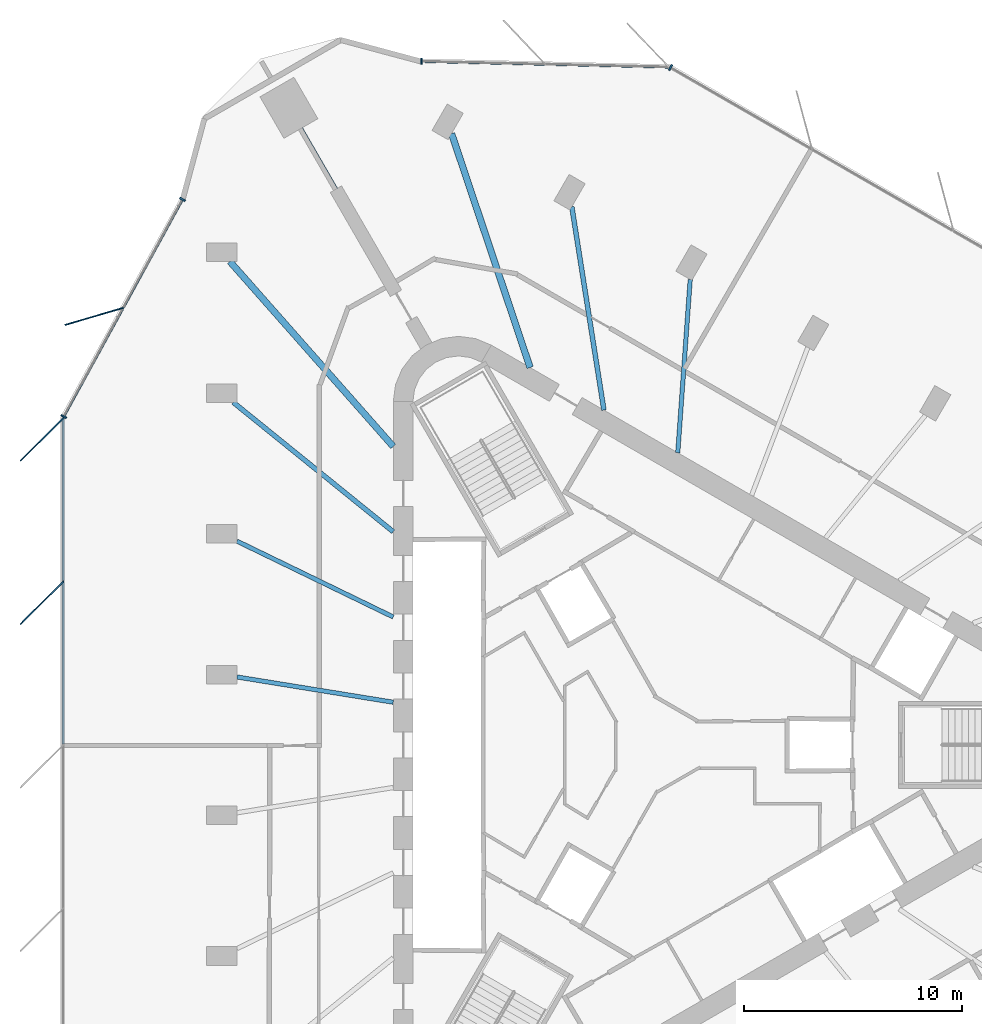
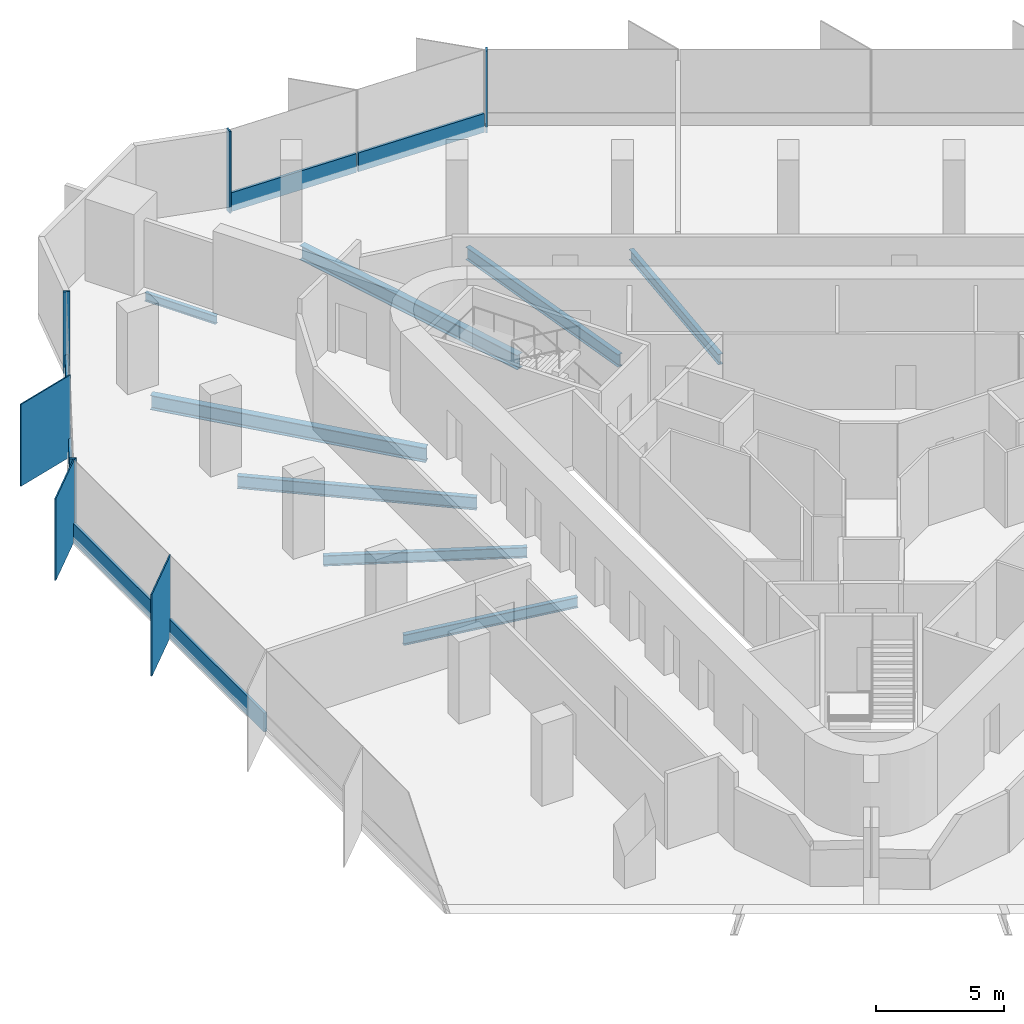
# One storey, part 4 of 12: 13 members, 8 beams, 4 elements without a shape of their own.
"""IFC4 building model written with IfcOpenShell, lengths in metres."""

from ifc_helpers import new_model, si_unit, direction, frame, origin, origin_2d, place, context, subcontext, project, spatial, rectangle, i_section, extrude, material, material_profile, profile_set, type_object, element, aggregate, save


model = new_model("IFC4")

# Units and contexts
model_context = context("Model", 3, precision=1e-05, world=origin(), true_north=direction((0.0, 1.0)))
body_context = subcontext(model_context, "Body", "Model", "MODEL_VIEW")
ifc_project = project(units=[si_unit("LENGTHUNIT", "METRE"), si_unit("AREAUNIT", "SQUARE_METRE"), si_unit("VOLUMEUNIT", "CUBIC_METRE"), si_unit("PLANEANGLEUNIT", "RADIAN"), si_unit("MASSUNIT", "GRAM", prefix="KILO")], contexts=[model_context])

# Site, building, storey
site_placement = place(None, origin())
site = spatial("IfcSite", under=ifc_project, at=site_placement, CompositionType="ELEMENT")
building_placement = place(site_placement, origin())
building = spatial("IfcBuilding", under=site, at=building_placement, Name="Tanit Gate Tower", CompositionType="ELEMENT")
storey_placement = place(building_placement, frame((0.0, 0.0, 341.60009765625)))
storey = spatial("IfcBuildingStorey", under=building, at=storey_placement, Name="L77", CompositionType="ELEMENT", Elevation=341.60009765625)

# Curtain wall, member
ifc_material_1 = material(Name="Aluminium bronze anodised and glass", Category="aluminium")
curtain_wall_type = type_object("IfcCurtainWallType", Name="Curtain wall typical high", PredefinedType="NOTDEFINED", material=ifc_material_1)
curtain_wall_1_placement = place(storey_placement, origin())
curtain_wall_1 = element("IfcCurtainWall", 1, at=curtain_wall_1_placement, inside=storey, type_object=curtain_wall_type, Name="Curtain wall L77 W1", PredefinedType="NOTDEFINED")
ifc_material_2 = material(Name="Aluminium bronze anodised", Category="aluminium")
ifc_material_profile_1 = material_profile(ifc_material_2, rectangle(XDim=2.800048828125, YDim=0.055908203125, at=origin_2d()), Name="56x2800 bronze fin mullion")
ifc_profile_set_1 = profile_set([ifc_material_profile_1], Name="Aluminium bronze anodised")
member_type_1 = type_object("IfcMemberType", Name="FIN MULLION 56x2800 bronze", PredefinedType="MULLION", material=ifc_profile_set_1)
member_1_placement = place(storey_placement, frame((-25.835693359375, 19.67919921875, -0.300048828125), z_axis=(0.0, 0.0, 1.0), x_axis=(0.959706253462, 0.281005172666, 0.0)))
member_1 = element("IfcMember", 2, at=member_1_placement, type_object=member_type_1, Name="Fin mullion L77 W1.2", PredefinedType="MULLION", context=body_context, shape_type="SweptSolid", body=[
    extrude(rectangle(XDim=2.800048828125, YDim=0.055908203125, at=origin_2d()), origin(), (0.0, 0.0, 1.0), 3.89990234375),
])

# Curtain wall, members
curtain_wall_2_placement = place(storey_placement, origin())
curtain_wall_2 = element("IfcCurtainWall", 3, at=curtain_wall_2_placement, inside=storey, type_object=curtain_wall_type, Name="Curtain wall L77 W2", PredefinedType="NOTDEFINED")
member_2_placement = place(storey_placement, frame((-28.232666015625, 14.0322265625, -0.300048828125), z_axis=(0.0, 0.0, 1.0), x_axis=(0.707155809403, 0.707057749571, 0.0)))
member_2 = element("IfcMember", 4, at=member_2_placement, type_object=member_type_1, Name="Fin mullion L77 W2.1", PredefinedType="MULLION", context=body_context, shape_type="SweptSolid", body=[
    extrude(rectangle(XDim=2.800048828125, YDim=0.055908203125, at=origin_2d()), origin(), (0.0, 0.0, 1.0), 3.89990234375),
])
member_3_placement = place(storey_placement, frame((-28.233154296875, 6.528076171875, -0.300048828125), z_axis=(0.0, 0.0, 1.0), x_axis=(0.707155809403, 0.707057749571, 0.0)))
member_3 = element("IfcMember", 5, at=member_3_placement, type_object=member_type_1, Name="Fin mullion L77 W2.2", PredefinedType="MULLION", context=body_context, shape_type="SweptSolid", body=[
    extrude(rectangle(XDim=2.800048828125, YDim=0.055908203125, at=origin_2d()), origin(), (0.0, 0.0, 1.0), 3.89990234375),
])

# Curtain wall, member
curtain_wall_3_placement = place(storey_placement, origin())
curtain_wall_3 = element("IfcCurtainWall", 6, at=curtain_wall_3_placement, inside=storey, type_object=curtain_wall_type, Name="Curtain wall L77 NE2", PredefinedType="NOTDEFINED")
ifc_material_3 = material(Name="Aluminium bronze anodised", Category="aluminium")
ifc_material_profile_2 = material_profile(ifc_material_3, rectangle(XDim=0.280029296875, YDim=0.080078125, at=origin_2d()), Name="80x280 bronze mullion")
ifc_profile_set_2 = profile_set([ifc_material_profile_2], Name="Aluminium bronze anodised")
member_type_2 = type_object("IfcMemberType", Name="Mullion 80x280 typical high", PredefinedType="MULLION", material=ifc_profile_set_2)
member_4_placement = place(storey_placement, frame((0.632080078125, 31.11083984375, -0.300048828125), z_axis=(0.0, 0.0, 1.0), x_axis=(-0.500060047936, -0.865990732317, 0.0)))
member_4 = element("IfcMember", 7, at=member_4_placement, type_object=member_type_2, Name="Mullion L77 NE2.5", PredefinedType="MULLION", context=body_context, shape_type="SweptSolid", body=[
    extrude(rectangle(XDim=0.280029296875, YDim=0.080078125, at=origin_2d()), origin(), (0.0, 0.0, 1.0), 3.89990234375),
])
aggregate(curtain_wall_3, [member_4])

curtain_wall_4_placement = place(storey_placement, origin())
curtain_wall_4 = element("IfcCurtainWall", 8, at=curtain_wall_4_placement, inside=storey, type_object=curtain_wall_type, Name="Curtain wall L77 NE3", PredefinedType="NOTDEFINED")
member_5_placement = place(storey_placement, frame((-10.802490234375, 31.3916015625, -0.300048828125), z_axis=(0.0, 0.0, 1.0), x_axis=(-0.022879847229, -0.999738222032, 0.0)))
member_5 = element("IfcMember", 9, at=member_5_placement, type_object=member_type_2, Name="Mullion L77 NE3.3", PredefinedType="MULLION", context=body_context, shape_type="SweptSolid", body=[
    extrude(rectangle(XDim=0.280029296875, YDim=0.080078125, at=origin_2d()), origin(), (0.0, 0.0, 1.0), 3.89990234375),
])

# Member
member_6_placement = place(storey_placement, frame((-21.78466796875, 25.051025390625, -0.300048828125), z_axis=(0.0, 0.0, 1.0), x_axis=(0.877315462911, -0.47991413663, 0.0)))
member_6 = element("IfcMember", 10, at=member_6_placement, type_object=member_type_2, Name="Mullion L77 W1.1", PredefinedType="MULLION", context=body_context, shape_type="SweptSolid", body=[
    extrude(rectangle(XDim=0.280029296875, YDim=0.080078125, at=origin_2d()), origin(), (0.0, 0.0, 1.0), 3.89990234375),
])

member_7_placement = place(storey_placement, frame((-27.237548828125, 15.0830078125, -0.300048828125), z_axis=(0.0, 0.0, 1.0), x_axis=(0.877315462911, -0.47991413663, 0.0)))
member_7 = element("IfcMember", 11, at=member_7_placement, type_object=member_type_2, Name="Mullion L77 W1.3", PredefinedType="MULLION", context=body_context, shape_type="SweptSolid", body=[
    extrude(rectangle(XDim=0.280029296875, YDim=0.080078125, at=origin_2d()), origin(), (0.0, 0.0, 1.0), 3.89990234375),
])

# Beams
ifc_material_4 = material(Name="Steel S355", Category="steel")
ifc_material_profile_3 = material_profile(ifc_material_4, i_section(OverallWidth=0.300048828125, OverallDepth=0.68994140625, WebThickness=0.014404296875, FlangeThickness=0.027099609375, FilletRadius=0.027099609375, at=origin_2d()), Name="HEA 700")
ifc_profile_set_3 = profile_set([ifc_material_profile_3], Name="Steel S355")
beam_type_1 = type_object("IfcBeamType", Name="RADIAL GIRDER HEA 700 S355", PredefinedType="BEAM", material=ifc_profile_set_3)
for number, where, z_axis, x_axis, name in (
    (12, (-9.42333984375, 28.075439453125, -0.64501953125), (0.318204952312, -0.948021945065, 0.0), (0.948021945065, 0.318204952312, 0.0), "RADIAL GIRDER"),
    (13, (-19.602294921875, 22.198486328125, -0.64501953125), (0.661911618894, -0.749581889304, 0.0), (0.749581889304, 0.661911618894, 0.0), "RADIAL GIRDER"),
):
    element("IfcBeam", number, at=place(storey_placement, frame(where, z_axis=z_axis, x_axis=x_axis)), inside=storey, type_object=beam_type_1, Name=name, PredefinedType="BEAM", context=body_context, shape_type="SweptSolid", body=[
        extrude(i_section(OverallWidth=0.300048828125, OverallDepth=0.68994140625, WebThickness=0.014404296875, FlangeThickness=0.027099609375, FilletRadius=0.027099609375, at=origin_2d()), origin(), (0.0, 0.0, 1.0), 11.331298828125),
    ])
ifc_material_5 = material(Name="Steel S355", Category="steel")
ifc_material_profile_4 = material_profile(ifc_material_5, i_section(OverallWidth=0.179931640625, OverallDepth=0.39990234375, WebThickness=0.008544921875, FlangeThickness=0.013427734375, FilletRadius=0.02099609375, at=origin_2d()), Name="IPE 400")
ifc_profile_set_4 = profile_set([ifc_material_profile_4], Name="Steel S355")
beam_type_2 = type_object("IfcBeamType", Name="RADIAL GIRDER IPE 400 S355", PredefinedType="BEAM", material=ifc_profile_set_4)
beam_1_placement = place(storey_placement, frame((-16.343505859375, 28.30810546875, -0.5), z_axis=(0.499967746641, -0.866044024469, 0.0), x_axis=(0.866044024469, 0.499967746641, 0.0)))
element("IfcBeam", 14, at=beam_1_placement, inside=storey, type_object=beam_type_2, Name="RADIAL GIRDER", PredefinedType="BEAM", context=body_context, shape_type="SweptSolid", body=[
    extrude(i_section(OverallWidth=0.179931640625, OverallDepth=0.39990234375, WebThickness=0.008544921875, FlangeThickness=0.013427734375, FilletRadius=0.02099609375, at=origin_2d()), origin(), (0.0, 0.0, 1.0), 3.216552734375),
])
ifc_material_6 = material(Name="Steel S355", Category="steel")
ifc_material_profile_5 = material_profile(ifc_material_6, i_section(OverallWidth=0.199951171875, OverallDepth=0.5, WebThickness=0.01025390625, FlangeThickness=0.01611328125, FilletRadius=0.02099609375, at=origin_2d()), Name="IPE 500")
ifc_profile_set_5 = profile_set([ifc_material_profile_5], Name="Steel S355")
beam_type_3 = type_object("IfcBeamType", Name="RADIAL GIRDER IPE 500 S355", PredefinedType="BEAM", material=ifc_profile_set_5)
for number, where, z_axis, x_axis, name in (
    (15, (1.5361328125, 21.373046875, -0.550048828125), (-0.071686446401, -0.997427217095, 0.0), (0.997427217095, -0.071686446401, 0.0), "RADIAL GIRDER"),
    (16, (-19.277587890625, 9.356201171875, -0.550048828125), (0.899635975272, -0.43664071271, 0.0), (0.43664071271, 0.899635975272, 0.0), "RADIAL GIRDER"),
):
    element("IfcBeam", number, at=place(storey_placement, frame(where, z_axis=z_axis, x_axis=x_axis)), inside=storey, type_object=beam_type_3, Name=name, PredefinedType="BEAM", context=body_context, shape_type="SweptSolid", body=[
        extrude(i_section(OverallWidth=0.199951171875, OverallDepth=0.5, WebThickness=0.01025390625, FlangeThickness=0.01611328125, FilletRadius=0.02099609375, at=origin_2d()), origin(), (0.0, 0.0, 1.0), 7.97607421875),
    ])
beam_2_placement = place(storey_placement, frame((-19.277587890625, 3.11865234375, -0.550048828125), z_axis=(0.987164361899, -0.159707615965, 0.0), x_axis=(0.159707615965, 0.987164361899, 0.0)))
element("IfcBeam", 17, at=beam_2_placement, inside=storey, type_object=beam_type_3, Name="RADIAL GIRDER", PredefinedType="BEAM", context=body_context, shape_type="SweptSolid", body=[
    extrude(i_section(OverallWidth=0.199951171875, OverallDepth=0.5, WebThickness=0.01025390625, FlangeThickness=0.01611328125, FilletRadius=0.02099609375, at=origin_2d()), origin(), (0.0, 0.0, 1.0), 7.268798828125),
])
ifc_material_7 = material(Name="Steel S355", Category="steel")
ifc_material_profile_6 = material_profile(ifc_material_7, i_section(OverallWidth=0.219970703125, OverallDepth=0.60009765625, WebThickness=0.011962890625, FlangeThickness=0.01904296875, FilletRadius=0.02392578125, at=origin_2d()), Name="IPE 600")
ifc_profile_set_6 = profile_set([ifc_material_profile_6], Name="Steel S355")
beam_type_4 = type_object("IfcBeamType", Name="RADIAL GIRDER IPE 600 S355", PredefinedType="BEAM", material=ifc_profile_set_6)
for number, where, z_axis, x_axis, name in (
    (18, (-3.900390625, 24.713623046875, -0.60009765625), (0.155875049661, -0.987776780904, 0.0), (0.987776780904, 0.155875049661, 0.0), "RADIAL GIRDER"),
    (19, (-19.452392578125, 15.734619140625, -0.60009765625), (0.777488974624, -0.628896568872, 0.0), (0.628896568872, 0.777488974624, 0.0), "RADIAL GIRDER"),
):
    element("IfcBeam", number, at=place(storey_placement, frame(where, z_axis=z_axis, x_axis=x_axis)), inside=storey, type_object=beam_type_4, Name=name, PredefinedType="BEAM", context=body_context, shape_type="SweptSolid", body=[
        extrude(i_section(OverallWidth=0.219970703125, OverallDepth=0.60009765625, WebThickness=0.011962890625, FlangeThickness=0.01904296875, FilletRadius=0.02392578125, at=origin_2d()), origin(), (0.0, 0.0, 1.0), 9.453857421875),
    ])

# Member
ifc_material_8 = material(Name="Aluminium bronze anodised", Category="aluminium")
ifc_material_profile_7 = material_profile(ifc_material_8, rectangle(XDim=0.1201171875, YDim=0.89990234375, at=origin_2d()), Name="120x900 bronze transom")
ifc_profile_set_7 = profile_set([ifc_material_profile_7], Name="Aluminium bronze anodised")
member_type_3 = type_object("IfcMemberType", Name="Transom 120x900 typical high", PredefinedType="USERDEFINED", material=ifc_profile_set_7)
member_8_placement = place(storey_placement, frame((0.517333984375, 31.132568359375, 0.14990234375), z_axis=(-0.999738154702, 0.022882788997, 0.0), x_axis=(-0.022882788997, -0.999738154702, 0.0)))
member_8 = element("IfcMember", 20, at=member_8_placement, type_object=member_type_3, Name="Transom L77 NE3.1", ObjectType="TRANSOM", PredefinedType="USERDEFINED", context=body_context, shape_type="SweptSolid", body=[
    extrude(rectangle(XDim=0.1201171875, YDim=0.89990234375, at=origin_2d()), origin(), (0.0, 0.0, 1.0), 5.601318359375),
])

member_9_placement = place(storey_placement, frame((-5.16259765625, 31.2626953125, 0.14990234375), z_axis=(-0.999738154702, 0.022882788997, 0.0), x_axis=(-0.022882788997, -0.999738154702, 0.0)))
member_9 = element("IfcMember", 21, at=member_9_placement, type_object=member_type_3, Name="Transom L77 NE3.2", ObjectType="TRANSOM", PredefinedType="USERDEFINED", context=body_context, shape_type="SweptSolid", body=[
    extrude(rectangle(XDim=0.1201171875, YDim=0.89990234375, at=origin_2d()), origin(), (0.0, 0.0, 1.0), 5.601318359375),
])

aggregate(curtain_wall_4, [member_5, member_8, member_9])

member_10_placement = place(storey_placement, frame((-21.803955078125, 25.01611328125, 0.14990234375), z_axis=(-0.47989622135, -0.877325262792, 0.0), x_axis=(0.877325262792, -0.47989622135, 0.0)))
member_10 = element("IfcMember", 22, at=member_10_placement, type_object=member_type_3, Name="Transom L77 W1.1", ObjectType="TRANSOM", PredefinedType="USERDEFINED", context=body_context, shape_type="SweptSolid", body=[
    extrude(rectangle(XDim=0.1201171875, YDim=0.89990234375, at=origin_2d()), origin(), (0.0, 0.0, 1.0), 5.60107421875),
])

member_11_placement = place(storey_placement, frame((-24.5302734375, 20.031982421875, 0.14990234375), z_axis=(-0.479914573296, -0.877315224044, 0.0), x_axis=(0.877315224044, -0.479914573296, 0.0)))
member_11 = element("IfcMember", 23, at=member_11_placement, type_object=member_type_3, Name="Transom L77 W1.2", ObjectType="TRANSOM", PredefinedType="USERDEFINED", context=body_context, shape_type="SweptSolid", body=[
    extrude(rectangle(XDim=0.1201171875, YDim=0.89990234375, at=origin_2d()), origin(), (0.0, 0.0, 1.0), 5.60107421875),
])

aggregate(curtain_wall_1, [member_6, member_1, member_7, member_10, member_11])

member_12_placement = place(storey_placement, frame((-27.256591796875, 14.968017578125, 0.14990234375), z_axis=(-6.5770002e-05, -0.999999997837, 0.0), x_axis=(0.999999997837, -6.5770002e-05, 0.0)))
member_12 = element("IfcMember", 24, at=member_12_placement, type_object=member_type_3, Name="Transom L77 W2.1", ObjectType="TRANSOM", PredefinedType="USERDEFINED", context=body_context, shape_type="SweptSolid", body=[
    extrude(rectangle(XDim=0.1201171875, YDim=0.89990234375, at=origin_2d()), origin(), (0.0, 0.0, 1.0), 7.424072265625),
])

member_13_placement = place(storey_placement, frame((-27.257080078125, 7.464111328125, 0.14990234375), z_axis=(-9.8655003e-05, -0.999999995134, 0.0), x_axis=(0.999999995134, -9.8655003e-05, 0.0)))
member_13 = element("IfcMember", 25, at=member_13_placement, type_object=member_type_3, Name="Transom L77 W2.2", ObjectType="TRANSOM", PredefinedType="USERDEFINED", context=body_context, shape_type="SweptSolid", body=[
    extrude(rectangle(XDim=0.1201171875, YDim=0.89990234375, at=origin_2d()), origin(), (0.0, 0.0, 1.0), 7.424072265625),
])

aggregate(curtain_wall_2, [member_2, member_3, member_12, member_13])

save(model, "model.ifc")
